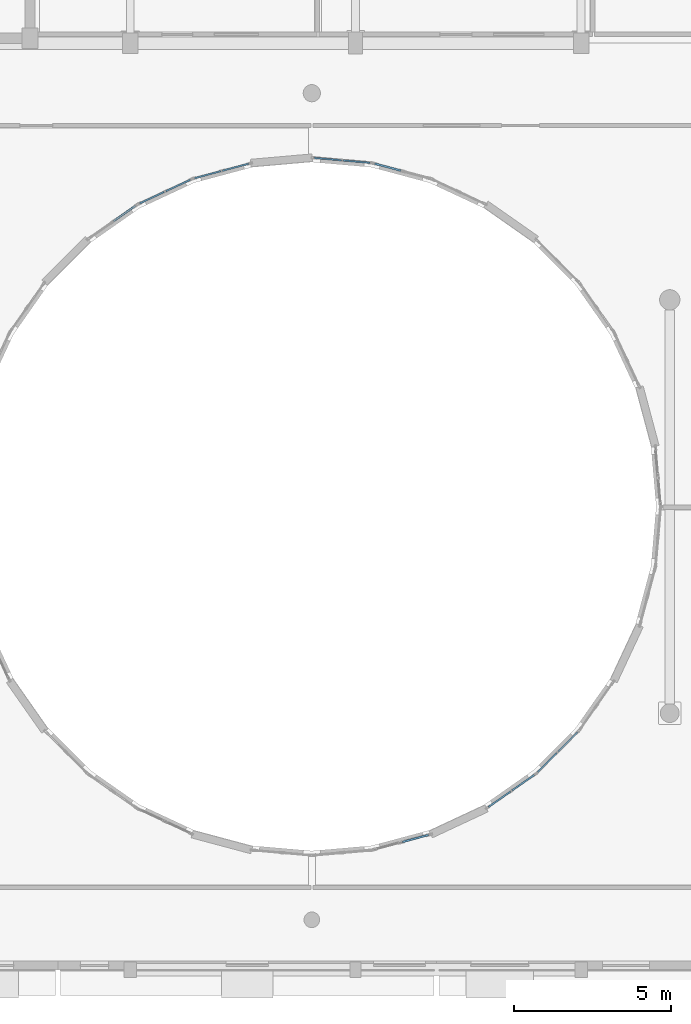
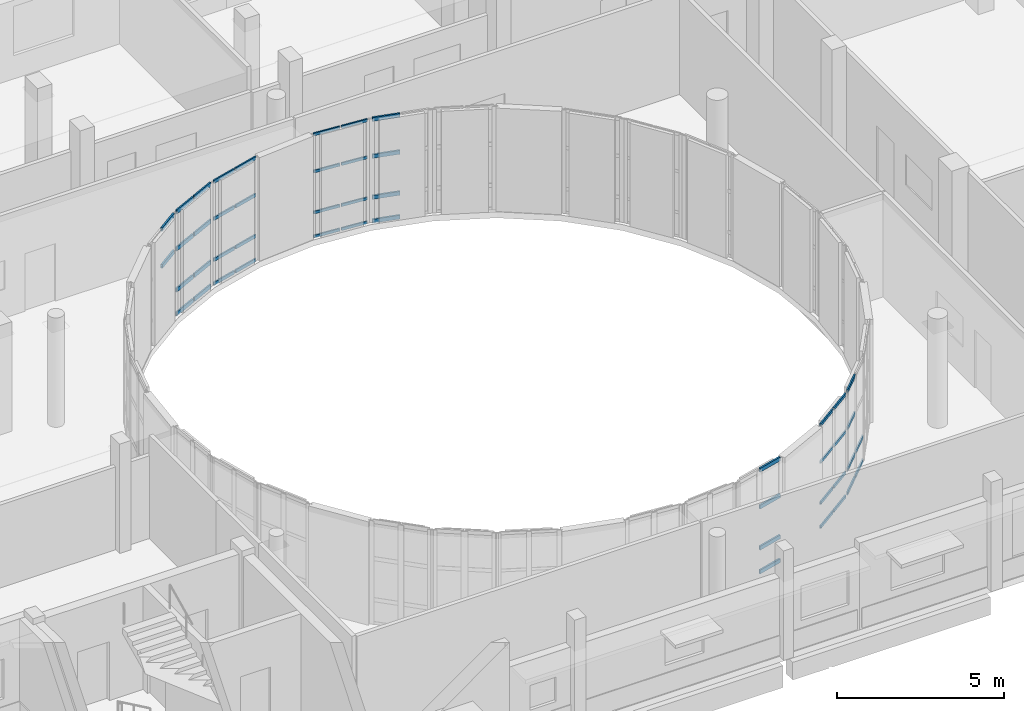
# One storey, part 47 of 92: 48 members, 8 elements without a shape of their own.
"""IFC4 building model written with IfcOpenShell, lengths in metres."""

import ifcopenshell
import ifcopenshell.guid

model = None  # the IFC model being written
_history = None  # IfcOwnerHistory: only IFC2X3 demands one
_inside = {}  # id of a spatial element -> (the spatial element, [elements in it])
_under = {}  # id of a project, library or spatial element -> (it, [spatial elements below it])
_declared = {}  # id of a project -> (the project, [libraries it declares])
_typed = {}  # id of a type object -> (the type object, [elements of that type])
_made_of = {}  # id of a material, layer set ... -> (it, [elements and type objects made of it])


def new_model(schema):
    """Start an empty IFC model of exactly this schema.

    Asked for "IFC4X3", IfcOpenShell would pick the latest addendum, in which some entities
    have other attributes; the version numbers below select the first issue.
    IFC2X3 requires an IfcOwnerHistory on every rooted entity: one is made here for all.
    """
    global model, _history
    if schema == "IFC4X3":
        model = ifcopenshell.file(schema_version=(4, 3, 0, 0))
    else:
        model = ifcopenshell.file(schema=schema)
    _inside.clear()
    _under.clear()
    _declared.clear()
    _typed.clear()
    _made_of.clear()
    _history = None
    if model.schema == "IFC2X3":
        org = make("IfcOrganization", Name="unknown")
        user = make(
            "IfcPersonAndOrganization",
            ThePerson=make("IfcPerson", FamilyName="unknown"),
            TheOrganization=org,
        )
        app = make(
            "IfcApplication",
            ApplicationDeveloper=org,
            Version="unknown",
            ApplicationFullName="unknown",
            ApplicationIdentifier="unknown",
        )
        _history = make(
            "IfcOwnerHistory",
            OwningUser=user,
            OwningApplication=app,
            ChangeAction="ADDED",
            CreationDate=0,
        )
    return model


def make(cls, **values):
    """One entity of the class cls with the attributes given. An attribute that is None is left unset."""
    return model.create_entity(
        cls, **{name: value for name, value in values.items() if value is not None}
    )


def rooted(cls, **values):
    """An entity with a GlobalId (a new one), such as an element, a storey or a relation."""
    return make(cls, GlobalId=ifcopenshell.guid.new(), OwnerHistory=_history, **values)


def si_unit(unit_type, name, prefix=None):
    """IfcSIUnit, for example si_unit("LENGTHUNIT", "METRE", prefix="MILLI")."""
    return make("IfcSIUnit", UnitType=unit_type, Prefix=prefix, Name=name)


def assignment(units):
    """IfcUnitAssignment: the units of a project."""
    return None if units is None else make("IfcUnitAssignment", Units=units)


def point(xyz):
    """IfcCartesianPoint."""
    return None if xyz is None else make("IfcCartesianPoint", Coordinates=xyz)


def direction(xyz):
    """IfcDirection."""
    return None if xyz is None else make("IfcDirection", DirectionRatios=xyz)


def frame(location, z_axis=None, x_axis=None):
    """IfcAxis2Placement3D, a coordinate frame: its origin and axes. An axis left out is left unset."""
    return make(
        "IfcAxis2Placement3D",
        Location=point(location),
        Axis=direction(z_axis),
        RefDirection=direction(x_axis),
    )


def frame_2d(location, x_axis=None):
    """IfcAxis2Placement2D, a coordinate frame in the plane: its origin and x axis."""
    return make(
        "IfcAxis2Placement2D", Location=point(location), RefDirection=direction(x_axis)
    )


def origin():
    """The frame at (0, 0, 0) with its axes left unset."""
    return frame((0.0, 0.0, 0.0))


def origin_2d():
    """The frame at (0, 0) in the plane with its x axis left unset."""
    return frame_2d((0.0, 0.0))


def place(relative_to, where):
    """IfcLocalPlacement: puts the frame where relative to a parent placement (None: the world)."""
    return make(
        "IfcLocalPlacement", PlacementRelTo=relative_to, RelativePlacement=where
    )


def context(
    kind, dimensions, precision=None, world=None, true_north=None, identifier=None
):
    """IfcGeometricRepresentationContext, for example the 3D "Model" context."""
    return make(
        "IfcGeometricRepresentationContext",
        ContextIdentifier=identifier,
        ContextType=kind,
        CoordinateSpaceDimension=dimensions,
        Precision=precision,
        WorldCoordinateSystem=world,
        TrueNorth=true_north,
    )


def subcontext(parent, identifier, kind, view, scale=None):
    """IfcGeometricRepresentationSubContext, for example "Body" below "Model"."""
    return make(
        "IfcGeometricRepresentationSubContext",
        ContextIdentifier=identifier,
        ContextType=kind,
        ParentContext=parent,
        TargetScale=scale,
        TargetView=view,
    )


def project(units=None, contexts=None):
    """IfcProject with its units and contexts."""
    return rooted(
        "IfcProject",
        Name="project",
        RepresentationContexts=contexts,
        UnitsInContext=assignment(units),
    )


def spatial(cls, under=None, at=None, **own):
    """A site, building, storey or space (cls), placed at a placement, below another one or the project."""
    s = rooted(cls, ObjectPlacement=at, **own)
    if under is not None:
        _under.setdefault(under.id(), (under, []))[1].append(s)
    return s


def profile(cls, at=None, kind="AREA", **sizes):
    """A parametric profile (cls). Its sizes go by their IFC names, for example OverallWidth=200.0."""
    return make(cls, ProfileType=kind, Position=at, **sizes)


def hollow_rectangle(**sizes):
    """IfcRectangleHollowProfileDef."""
    return profile("IfcRectangleHollowProfileDef", **sizes)


def extrude(swept, where, along, depth):
    """IfcExtrudedAreaSolid: the profile swept, set in the frame where, extruded along a direction by depth."""
    return make(
        "IfcExtrudedAreaSolid",
        SweptArea=swept,
        Position=where,
        ExtrudedDirection=direction(along),
        Depth=depth,
    )


def shape(context_of_items, identifier, shape_type, items):
    """IfcShapeRepresentation: the items that make up one representation, for example the "Body"."""
    return make(
        "IfcShapeRepresentation",
        ContextOfItems=context_of_items,
        RepresentationIdentifier=identifier,
        RepresentationType=shape_type,
        Items=items,
    )


def material(Name=None, Category=None):
    """IfcMaterial."""
    return make("IfcMaterial", Name=Name, Category=Category)


def layer(
    of_material, thickness, ventilated=None, Name=None, Category=None, Priority=None
):
    """IfcMaterialLayer: one layer of a wall or slab, of a material (None: an air gap)."""
    return make(
        "IfcMaterialLayer",
        Material=of_material,
        LayerThickness=thickness,
        IsVentilated=ventilated,
        Name=Name,
        Category=Category,
        Priority=Priority,
    )


def layer_set(layers, Name=None):
    """IfcMaterialLayerSet."""
    return make("IfcMaterialLayerSet", MaterialLayers=layers, LayerSetName=Name)


def material_profile(
    of_material, cross_section, Name=None, Category=None, Priority=None
):
    """IfcMaterialProfile: a cross section and its material."""
    return make(
        "IfcMaterialProfile",
        Name=Name,
        Material=of_material,
        Profile=cross_section,
        Priority=Priority,
        Category=Category,
    )


def profile_set(profiles, Name=None, composite=None):
    """IfcMaterialProfileSet."""
    return make(
        "IfcMaterialProfileSet",
        Name=Name,
        MaterialProfiles=profiles,
        CompositeProfile=composite,
    )


def made_of(thing, what):
    """Note that an element or type object is made of a material, layer set ...; save() writes the relation."""
    if what is not None:
        _made_of.setdefault(what.id(), (what, []))[1].append(thing)
    return thing


def type_object(cls, material=None, **own):
    """A type object (cls), such as IfcWallType, which elements share."""
    return made_of(rooted(cls, **own), material)


def element(
    cls,
    number,
    at=None,
    inside=None,
    cuts=None,
    type_object=None,
    material=None,
    context=None,
    identifier="Body",
    shape_type=None,
    held_by="IfcProductDefinitionShape",
    body=None,
    shapes=None,
    **own,
):
    """One element of the class cls, such as IfcWall. Its Tag is "e" and its number.

    at: its placement. inside: the storey or other place that contains it. cuts: it is an
    opening in that element (IfcRelVoidsElement). A single representation is given by context,
    identifier, shape_type and body (its items); several are given by shapes. held_by: the class
    of the entity that holds the representations. save() writes the other relations.
    """
    e = rooted(cls, Tag="e%d" % number, ObjectPlacement=at, **own)
    if body is not None:
        shapes = [shape(context, identifier, shape_type, body)]
    if shapes is not None:
        e.Representation = make(held_by, Representations=shapes)
    if inside is not None:
        _inside.setdefault(inside.id(), (inside, []))[1].append(e)
    if cuts is not None:
        rooted(
            "IfcRelVoidsElement", RelatingBuildingElement=cuts, RelatedOpeningElement=e
        )
    if type_object is not None:
        _typed.setdefault(type_object.id(), (type_object, []))[1].append(e)
    return made_of(e, material)


def aggregate(whole, parts):
    """IfcRelAggregates: a whole, such as a stair, and the parts it consists of."""
    return rooted("IfcRelAggregates", RelatingObject=whole, RelatedObjects=parts)


def save(model, path):
    """Write the relations noted so far, then the file.

    IfcRelAggregates (storeys below a building ...), IfcRelContainedInSpatialStructure (elements
    in a storey), IfcRelDefinesByType, IfcRelAssociatesMaterial and IfcRelDeclares: one each for
    every whole, place, type object, material and project.
    """
    for whole, parts in _under.values():
        aggregate(whole, parts)
    for where, things in _inside.values():
        rooted(
            "IfcRelContainedInSpatialStructure",
            RelatedElements=things,
            RelatingStructure=where,
        )
    for kind, things in _typed.values():
        rooted("IfcRelDefinesByType", RelatedObjects=things, RelatingType=kind)
    for what, things in _made_of.values():
        rooted("IfcRelAssociatesMaterial", RelatedObjects=things, RelatingMaterial=what)
    for by, libraries in _declared.values():
        rooted("IfcRelDeclares", RelatingContext=by, RelatedDefinitions=libraries)
    model.write(path)


model = new_model("IFC4")

# Units and contexts
model_context = context("Model", 3, precision=1e-05, world=origin(), true_north=direction((0.0, 1.0)))
body_context = subcontext(model_context, "Body", "Model", "MODEL_VIEW")
ifc_project = project(units=[si_unit("LENGTHUNIT", "METRE"), si_unit("AREAUNIT", "SQUARE_METRE"), si_unit("VOLUMEUNIT", "CUBIC_METRE"), si_unit("PLANEANGLEUNIT", "RADIAN"), si_unit("MASSUNIT", "GRAM", prefix="KILO")], contexts=[model_context])

# Site, building, storey
site_placement = place(None, origin())
site = spatial("IfcSite", under=ifc_project, at=site_placement, CompositionType="ELEMENT")
building_placement = place(site_placement, origin())
building = spatial("IfcBuilding", under=site, at=building_placement, Name="Kelanivale Promenade Academy", CompositionType="ELEMENT")
storey_placement = place(building_placement, frame((0.0, 0.0, 8.199951171875)))
storey = spatial("IfcBuildingStorey", under=building, at=storey_placement, Name="L02", CompositionType="ELEMENT", Elevation=8.199951171875)

# Curtain wall, members
ifc_material_1 = material(Name="Bronze anodised aluminium and solar-control low-E glass", Category="aluminium")
ifc_layer_1 = layer(ifc_material_1, 0.169921875)
ifc_layer_set_1 = layer_set([ifc_layer_1], Name="Bronze anodised aluminium and solar-control low-E glass")
curtain_wall_type_1 = type_object("IfcCurtainWallType", Name="CW-13 Curtain Wall 1350mm Module", PredefinedType="USERDEFINED", material=ifc_layer_set_1)
curtain_wall_1_placement = place(storey_placement, origin())
curtain_wall_1 = element("IfcCurtainWall", 1, at=curtain_wall_1_placement, inside=storey, type_object=curtain_wall_type_1, Name="L02 courtyard curtain wall CW-13", ObjectType="COURTYARD SCREEN GLAZING", PredefinedType="USERDEFINED")
ifc_material_2 = material(Name="Bronze anodised aluminium EN AW-6063 T6", Category="aluminium")
ifc_material_profile_1 = material_profile(ifc_material_2, hollow_rectangle(XDim=0.050048828125, YDim=0.10009765625, WallThickness=0.0029296875, at=origin_2d()), Name="ALU 50x100x3.0")
ifc_profile_set_1 = profile_set([ifc_material_profile_1], Name="Bronze anodised aluminium EN AW-6063 T6")
member_type_1 = type_object("IfcMemberType", Name="CWT-01 ALU 50x100x3.0", PredefinedType="USERDEFINED", material=ifc_profile_set_1)
member_1_placement = place(storey_placement, frame((65.26220703125, 67.77734375, 0.025146484375), z_axis=(-0.996205401814, 0.087033311997, 0.0), x_axis=(-0.087033311997, -0.996205401814, 0.0)))
member_1 = element("IfcMember", 2, at=member_1_placement, type_object=member_type_1, Name="CW-13 transom 1.1", ObjectType="TRANSOM", PredefinedType="USERDEFINED", context=body_context, shape_type="SweptSolid", body=[
    extrude(hollow_rectangle(XDim=0.050048828125, YDim=0.10009765625, WallThickness=0.0029296875, at=origin_2d()), origin(), (0.0, 0.0, 1.0), 0.861083984375),
])
member_2_placement = place(storey_placement, frame((65.26220703125, 67.77734375, 0.900146484375), z_axis=(-0.996205401814, 0.087033311997, 0.0), x_axis=(-0.087033311997, -0.996205401814, 0.0)))
member_2 = element("IfcMember", 3, at=member_2_placement, type_object=member_type_1, Name="CW-13 transom 1.2", ObjectType="TRANSOM", PredefinedType="USERDEFINED", context=body_context, shape_type="SweptSolid", body=[
    extrude(hollow_rectangle(XDim=0.050048828125, YDim=0.10009765625, WallThickness=0.0029296875, at=origin_2d()), origin(), (0.0, 0.0, 1.0), 0.861083984375),
])
member_3_placement = place(storey_placement, frame((65.26220703125, 67.77734375, 2.400146484375), z_axis=(-0.996205401814, 0.087033311997, 0.0), x_axis=(-0.087033311997, -0.996205401814, 0.0)))
member_3 = element("IfcMember", 4, at=member_3_placement, type_object=member_type_1, Name="CW-13 transom 1.3", ObjectType="TRANSOM", PredefinedType="USERDEFINED", context=body_context, shape_type="SweptSolid", body=[
    extrude(hollow_rectangle(XDim=0.050048828125, YDim=0.10009765625, WallThickness=0.0029296875, at=origin_2d()), origin(), (0.0, 0.0, 1.0), 0.861083984375),
])
member_4_placement = place(storey_placement, frame((65.26220703125, 67.77734375, 3.755126953125), z_axis=(-0.996205401814, 0.087033311997, 0.0), x_axis=(-0.087033311997, -0.996205401814, 0.0)))
member_4 = element("IfcMember", 5, at=member_4_placement, type_object=member_type_1, Name="CW-13 transom 1.4", ObjectType="TRANSOM", PredefinedType="USERDEFINED", context=body_context, shape_type="SweptSolid", body=[
    extrude(hollow_rectangle(XDim=0.050048828125, YDim=0.10009765625, WallThickness=0.0029296875, at=origin_2d()), origin(), (0.0, 0.0, 1.0), 0.861083984375),
])
member_5_placement = place(storey_placement, frame((64.3447265625, 67.857666015625, 0.025146484375), z_axis=(-0.996180782713, 0.087314650278, 0.0), x_axis=(-0.087314650278, -0.996180782713, 0.0)))
member_5 = element("IfcMember", 6, at=member_5_placement, type_object=member_type_1, Name="CW-13 transom 2.1", ObjectType="TRANSOM", PredefinedType="USERDEFINED", context=body_context, shape_type="SweptSolid", body=[
    extrude(hollow_rectangle(XDim=0.050048828125, YDim=0.10009765625, WallThickness=0.0029296875, at=origin_2d()), origin(), (0.0, 0.0, 1.0), 0.861083984375),
])
member_6_placement = place(storey_placement, frame((64.3447265625, 67.857666015625, 0.900146484375), z_axis=(-0.996180782713, 0.087314650278, 0.0), x_axis=(-0.087314650278, -0.996180782713, 0.0)))
member_6 = element("IfcMember", 7, at=member_6_placement, type_object=member_type_1, Name="CW-13 transom 2.2", ObjectType="TRANSOM", PredefinedType="USERDEFINED", context=body_context, shape_type="SweptSolid", body=[
    extrude(hollow_rectangle(XDim=0.050048828125, YDim=0.10009765625, WallThickness=0.0029296875, at=origin_2d()), origin(), (0.0, 0.0, 1.0), 0.861083984375),
])
member_7_placement = place(storey_placement, frame((64.3447265625, 67.857666015625, 2.400146484375), z_axis=(-0.996180782713, 0.087314650278, 0.0), x_axis=(-0.087314650278, -0.996180782713, 0.0)))
member_7 = element("IfcMember", 8, at=member_7_placement, type_object=member_type_1, Name="CW-13 transom 2.3", ObjectType="TRANSOM", PredefinedType="USERDEFINED", context=body_context, shape_type="SweptSolid", body=[
    extrude(hollow_rectangle(XDim=0.050048828125, YDim=0.10009765625, WallThickness=0.0029296875, at=origin_2d()), origin(), (0.0, 0.0, 1.0), 0.861083984375),
])
member_8_placement = place(storey_placement, frame((64.3447265625, 67.857666015625, 3.755126953125), z_axis=(-0.996180782713, 0.087314650278, 0.0), x_axis=(-0.087314650278, -0.996180782713, 0.0)))
member_8 = element("IfcMember", 9, at=member_8_placement, type_object=member_type_1, Name="CW-13 transom 2.4", ObjectType="TRANSOM", PredefinedType="USERDEFINED", context=body_context, shape_type="SweptSolid", body=[
    extrude(hollow_rectangle(XDim=0.050048828125, YDim=0.10009765625, WallThickness=0.0029296875, at=origin_2d()), origin(), (0.0, 0.0, 1.0), 0.861083984375),
])
aggregate(curtain_wall_1, [member_1, member_2, member_3, member_4, member_5, member_6, member_7, member_8])

ifc_layer_2 = layer(ifc_material_1, 0.179931640625)
ifc_layer_set_2 = layer_set([ifc_layer_2], Name="Bronze anodised aluminium and solar-control low-E glass")
curtain_wall_type_2 = type_object("IfcCurtainWallType", Name="CW-05 Curtain Wall 1950mm Module", PredefinedType="USERDEFINED", material=ifc_layer_set_2)
curtain_wall_2_placement = place(storey_placement, origin())
curtain_wall_2 = element("IfcCurtainWall", 10, at=curtain_wall_2_placement, inside=storey, type_object=curtain_wall_type_2, Name="L02 courtyard curtain wall CW-05", ObjectType="UNITISED GLAZING", PredefinedType="USERDEFINED")
member_9_placement = place(storey_placement, frame((69.041259765625, 47.202392578125, 0.025146484375), z_axis=(0.819231920519, 0.573462344363, 0.0), x_axis=(-0.573462344363, 0.819231920519, 0.0)))
member_9 = element("IfcMember", 11, at=member_9_placement, type_object=member_type_1, Name="CW-05 transom 1.1", ObjectType="TRANSOM", PredefinedType="USERDEFINED", context=body_context, shape_type="SweptSolid", body=[
    extrude(hollow_rectangle(XDim=0.050048828125, YDim=0.10009765625, WallThickness=0.0029296875, at=origin_2d()), origin(), (0.0, 0.0, 1.0), 0.861328125),
])
member_10_placement = place(storey_placement, frame((69.041259765625, 47.202392578125, 0.900146484375), z_axis=(0.819231920519, 0.573462344363, 0.0), x_axis=(-0.573462344363, 0.819231920519, 0.0)))
member_10 = element("IfcMember", 12, at=member_10_placement, type_object=member_type_1, Name="CW-05 transom 1.2", ObjectType="TRANSOM", PredefinedType="USERDEFINED", context=body_context, shape_type="SweptSolid", body=[
    extrude(hollow_rectangle(XDim=0.050048828125, YDim=0.10009765625, WallThickness=0.0029296875, at=origin_2d()), origin(), (0.0, 0.0, 1.0), 0.861328125),
])
member_11_placement = place(storey_placement, frame((69.041259765625, 47.202392578125, 2.400146484375), z_axis=(0.819231920519, 0.573462344363, 0.0), x_axis=(-0.573462344363, 0.819231920519, 0.0)))
member_11 = element("IfcMember", 13, at=member_11_placement, type_object=member_type_1, Name="CW-05 transom 1.3", ObjectType="TRANSOM", PredefinedType="USERDEFINED", context=body_context, shape_type="SweptSolid", body=[
    extrude(hollow_rectangle(XDim=0.050048828125, YDim=0.10009765625, WallThickness=0.0029296875, at=origin_2d()), origin(), (0.0, 0.0, 1.0), 0.861328125),
])
member_12_placement = place(storey_placement, frame((69.041259765625, 47.202392578125, 3.755126953125), z_axis=(0.819231920519, 0.573462344363, 0.0), x_axis=(-0.573462344363, 0.819231920519, 0.0)))
member_12 = element("IfcMember", 14, at=member_12_placement, type_object=member_type_1, Name="CW-05 transom 1.4", ObjectType="TRANSOM", PredefinedType="USERDEFINED", context=body_context, shape_type="SweptSolid", body=[
    extrude(hollow_rectangle(XDim=0.050048828125, YDim=0.10009765625, WallThickness=0.0029296875, at=origin_2d()), origin(), (0.0, 0.0, 1.0), 0.861328125),
])
member_13_placement = place(storey_placement, frame((69.796142578125, 47.730712890625, 0.025146484375), z_axis=(0.819325110144, 0.573329193297, 0.0), x_axis=(-0.573329193297, 0.819325110144, 0.0)))
member_13 = element("IfcMember", 15, at=member_13_placement, type_object=member_type_1, Name="CW-05 transom 2.1", ObjectType="TRANSOM", PredefinedType="USERDEFINED", context=body_context, shape_type="SweptSolid", body=[
    extrude(hollow_rectangle(XDim=0.050048828125, YDim=0.10009765625, WallThickness=0.0029296875, at=origin_2d()), origin(), (0.0, 0.0, 1.0), 0.861572265625),
])
member_14_placement = place(storey_placement, frame((69.796142578125, 47.730712890625, 0.900146484375), z_axis=(0.819325110144, 0.573329193297, 0.0), x_axis=(-0.573329193297, 0.819325110144, 0.0)))
member_14 = element("IfcMember", 16, at=member_14_placement, type_object=member_type_1, Name="CW-05 transom 2.2", ObjectType="TRANSOM", PredefinedType="USERDEFINED", context=body_context, shape_type="SweptSolid", body=[
    extrude(hollow_rectangle(XDim=0.050048828125, YDim=0.10009765625, WallThickness=0.0029296875, at=origin_2d()), origin(), (0.0, 0.0, 1.0), 0.861572265625),
])
member_15_placement = place(storey_placement, frame((69.796142578125, 47.730712890625, 2.400146484375), z_axis=(0.819325110144, 0.573329193297, 0.0), x_axis=(-0.573329193297, 0.819325110144, 0.0)))
member_15 = element("IfcMember", 17, at=member_15_placement, type_object=member_type_1, Name="CW-05 transom 2.3", ObjectType="TRANSOM", PredefinedType="USERDEFINED", context=body_context, shape_type="SweptSolid", body=[
    extrude(hollow_rectangle(XDim=0.050048828125, YDim=0.10009765625, WallThickness=0.0029296875, at=origin_2d()), origin(), (0.0, 0.0, 1.0), 0.861572265625),
])
member_16_placement = place(storey_placement, frame((69.796142578125, 47.730712890625, 3.755126953125), z_axis=(0.819325110144, 0.573329193297, 0.0), x_axis=(-0.573329193297, 0.819325110144, 0.0)))
member_16 = element("IfcMember", 18, at=member_16_placement, type_object=member_type_1, Name="CW-05 transom 2.4", ObjectType="TRANSOM", PredefinedType="USERDEFINED", context=body_context, shape_type="SweptSolid", body=[
    extrude(hollow_rectangle(XDim=0.050048828125, YDim=0.10009765625, WallThickness=0.0029296875, at=origin_2d()), origin(), (0.0, 0.0, 1.0), 0.861572265625),
])
aggregate(curtain_wall_2, [member_9, member_10, member_11, member_12, member_13, member_14, member_15, member_16])

ifc_layer_3 = layer(ifc_material_1, 0.179931640625)
ifc_layer_set_3 = layer_set([ifc_layer_3], Name="Bronze anodised aluminium and solar-control low-E glass")
curtain_wall_type_3 = type_object("IfcCurtainWallType", Name="CW-14 Curtain Wall 1500mm Module", PredefinedType="USERDEFINED", material=ifc_layer_set_3)
curtain_wall_3_placement = place(storey_placement, origin())
curtain_wall_3 = element("IfcCurtainWall", 19, at=curtain_wall_3_placement, inside=storey, type_object=curtain_wall_type_3, Name="L02 courtyard curtain wall CW-14", ObjectType="COURTYARD SCREEN GLAZING", PredefinedType="USERDEFINED")
ifc_material_profile_2 = material_profile(ifc_material_2, hollow_rectangle(XDim=0.050048828125, YDim=0.1201171875, WallThickness=0.0029296875, at=origin_2d()), Name="ALU 50x120x3.0")
ifc_profile_set_2 = profile_set([ifc_material_profile_2], Name="Bronze anodised aluminium EN AW-6063 T6")
member_type_2 = type_object("IfcMemberType", Name="CWT-02 ALU 50x120x3.0", PredefinedType="USERDEFINED", material=ifc_profile_set_2)
member_17_placement = place(storey_placement, frame((61.382080078125, 67.74853515625, 0.025146484375), z_axis=(-0.966008746817, -0.258509382951, 0.0), x_axis=(0.258509382951, -0.966008746817, 0.0)))
member_17 = element("IfcMember", 20, at=member_17_placement, type_object=member_type_2, Name="CW-14 transom 1.1", ObjectType="TRANSOM", PredefinedType="USERDEFINED", context=body_context, shape_type="SweptSolid", body=[
    extrude(hollow_rectangle(XDim=0.050048828125, YDim=0.1201171875, WallThickness=0.0029296875, at=origin_2d()), origin(), (0.0, 0.0, 1.0), 0.861328125),
])
member_18_placement = place(storey_placement, frame((61.382080078125, 67.74853515625, 0.900146484375), z_axis=(-0.966008746817, -0.258509382951, 0.0), x_axis=(0.258509382951, -0.966008746817, 0.0)))
member_18 = element("IfcMember", 21, at=member_18_placement, type_object=member_type_2, Name="CW-14 transom 1.2", ObjectType="TRANSOM", PredefinedType="USERDEFINED", context=body_context, shape_type="SweptSolid", body=[
    extrude(hollow_rectangle(XDim=0.050048828125, YDim=0.1201171875, WallThickness=0.0029296875, at=origin_2d()), origin(), (0.0, 0.0, 1.0), 0.861328125),
])
member_19_placement = place(storey_placement, frame((61.382080078125, 67.74853515625, 2.400146484375), z_axis=(-0.966008746817, -0.258509382951, 0.0), x_axis=(0.258509382951, -0.966008746817, 0.0)))
member_19 = element("IfcMember", 22, at=member_19_placement, type_object=member_type_2, Name="CW-14 transom 1.3", ObjectType="TRANSOM", PredefinedType="USERDEFINED", context=body_context, shape_type="SweptSolid", body=[
    extrude(hollow_rectangle(XDim=0.050048828125, YDim=0.1201171875, WallThickness=0.0029296875, at=origin_2d()), origin(), (0.0, 0.0, 1.0), 0.861328125),
])
member_20_placement = place(storey_placement, frame((61.382080078125, 67.74853515625, 3.755126953125), z_axis=(-0.966008746817, -0.258509382951, 0.0), x_axis=(0.258509382951, -0.966008746817, 0.0)))
member_20 = element("IfcMember", 23, at=member_20_placement, type_object=member_type_2, Name="CW-14 transom 1.4", ObjectType="TRANSOM", PredefinedType="USERDEFINED", context=body_context, shape_type="SweptSolid", body=[
    extrude(hollow_rectangle(XDim=0.050048828125, YDim=0.1201171875, WallThickness=0.0029296875, at=origin_2d()), origin(), (0.0, 0.0, 1.0), 0.861328125),
])
member_21_placement = place(storey_placement, frame((60.491943359375, 67.51025390625, 0.025146484375), z_axis=(-0.966008746817, -0.258509382951, 0.0), x_axis=(0.258509382951, -0.966008746817, 0.0)))
member_21 = element("IfcMember", 24, at=member_21_placement, type_object=member_type_2, Name="CW-14 transom 2.1", ObjectType="TRANSOM", PredefinedType="USERDEFINED", context=body_context, shape_type="SweptSolid", body=[
    extrude(hollow_rectangle(XDim=0.050048828125, YDim=0.1201171875, WallThickness=0.0029296875, at=origin_2d()), origin(), (0.0, 0.0, 1.0), 0.861328125),
])
member_22_placement = place(storey_placement, frame((60.491943359375, 67.51025390625, 0.900146484375), z_axis=(-0.966008746817, -0.258509382951, 0.0), x_axis=(0.258509382951, -0.966008746817, 0.0)))
member_22 = element("IfcMember", 25, at=member_22_placement, type_object=member_type_2, Name="CW-14 transom 2.2", ObjectType="TRANSOM", PredefinedType="USERDEFINED", context=body_context, shape_type="SweptSolid", body=[
    extrude(hollow_rectangle(XDim=0.050048828125, YDim=0.1201171875, WallThickness=0.0029296875, at=origin_2d()), origin(), (0.0, 0.0, 1.0), 0.861328125),
])
member_23_placement = place(storey_placement, frame((60.491943359375, 67.51025390625, 2.400146484375), z_axis=(-0.966008746817, -0.258509382951, 0.0), x_axis=(0.258509382951, -0.966008746817, 0.0)))
member_23 = element("IfcMember", 26, at=member_23_placement, type_object=member_type_2, Name="CW-14 transom 2.3", ObjectType="TRANSOM", PredefinedType="USERDEFINED", context=body_context, shape_type="SweptSolid", body=[
    extrude(hollow_rectangle(XDim=0.050048828125, YDim=0.1201171875, WallThickness=0.0029296875, at=origin_2d()), origin(), (0.0, 0.0, 1.0), 0.861328125),
])
member_24_placement = place(storey_placement, frame((60.491943359375, 67.51025390625, 3.755126953125), z_axis=(-0.966008746817, -0.258509382951, 0.0), x_axis=(0.258509382951, -0.966008746817, 0.0)))
member_24 = element("IfcMember", 27, at=member_24_placement, type_object=member_type_2, Name="CW-14 transom 2.4", ObjectType="TRANSOM", PredefinedType="USERDEFINED", context=body_context, shape_type="SweptSolid", body=[
    extrude(hollow_rectangle(XDim=0.050048828125, YDim=0.1201171875, WallThickness=0.0029296875, at=origin_2d()), origin(), (0.0, 0.0, 1.0), 0.861328125),
])
aggregate(curtain_wall_3, [member_17, member_18, member_19, member_20, member_21, member_22, member_23, member_24])

ifc_layer_4 = layer(ifc_material_1, 0.159912109375)
ifc_layer_set_4 = layer_set([ifc_layer_4], Name="Bronze anodised aluminium and solar-control low-E glass")
curtain_wall_type_4 = type_object("IfcCurtainWallType", Name="CW-06 Curtain Wall 1200mm Module", PredefinedType="USERDEFINED", material=ifc_layer_set_4)
curtain_wall_4_placement = place(storey_placement, origin())
curtain_wall_4 = element("IfcCurtainWall", 28, at=curtain_wall_4_placement, inside=storey, type_object=curtain_wall_type_4, Name="L02 courtyard curtain wall CW-06", ObjectType="UNITISED GLAZING", PredefinedType="USERDEFINED")
member_25_placement = place(storey_placement, frame((70.6123046875, 48.3173828125, 0.025146484375), z_axis=(0.707106781187, 0.707106781187, 0.0), x_axis=(-0.707106781187, 0.707106781187, 0.0)))
member_25 = element("IfcMember", 29, at=member_25_placement, type_object=member_type_2, Name="CW-06 transom 1.1", ObjectType="TRANSOM", PredefinedType="USERDEFINED", context=body_context, shape_type="SweptSolid", body=[
    extrude(hollow_rectangle(XDim=0.050048828125, YDim=0.1201171875, WallThickness=0.0029296875, at=origin_2d()), origin(), (0.0, 0.0, 1.0), 0.868408203125),
])
member_26_placement = place(storey_placement, frame((70.6123046875, 48.3173828125, 0.900146484375), z_axis=(0.707106781187, 0.707106781187, 0.0), x_axis=(-0.707106781187, 0.707106781187, 0.0)))
member_26 = element("IfcMember", 30, at=member_26_placement, type_object=member_type_2, Name="CW-06 transom 1.2", ObjectType="TRANSOM", PredefinedType="USERDEFINED", context=body_context, shape_type="SweptSolid", body=[
    extrude(hollow_rectangle(XDim=0.050048828125, YDim=0.1201171875, WallThickness=0.0029296875, at=origin_2d()), origin(), (0.0, 0.0, 1.0), 0.868408203125),
])
member_27_placement = place(storey_placement, frame((70.6123046875, 48.3173828125, 2.400146484375), z_axis=(0.707106781187, 0.707106781187, 0.0), x_axis=(-0.707106781187, 0.707106781187, 0.0)))
member_27 = element("IfcMember", 31, at=member_27_placement, type_object=member_type_2, Name="CW-06 transom 1.3", ObjectType="TRANSOM", PredefinedType="USERDEFINED", context=body_context, shape_type="SweptSolid", body=[
    extrude(hollow_rectangle(XDim=0.050048828125, YDim=0.1201171875, WallThickness=0.0029296875, at=origin_2d()), origin(), (0.0, 0.0, 1.0), 0.868408203125),
])
member_28_placement = place(storey_placement, frame((70.6123046875, 48.3173828125, 3.755126953125), z_axis=(0.707106781187, 0.707106781187, 0.0), x_axis=(-0.707106781187, 0.707106781187, 0.0)))
member_28 = element("IfcMember", 32, at=member_28_placement, type_object=member_type_2, Name="CW-06 transom 1.4", ObjectType="TRANSOM", PredefinedType="USERDEFINED", context=body_context, shape_type="SweptSolid", body=[
    extrude(hollow_rectangle(XDim=0.050048828125, YDim=0.1201171875, WallThickness=0.0029296875, at=origin_2d()), origin(), (0.0, 0.0, 1.0), 0.868408203125),
])
member_29_placement = place(storey_placement, frame((71.268798828125, 48.9736328125, 0.025146484375), z_axis=(0.706966161367, 0.707247373047, 0.0), x_axis=(-0.707247373047, 0.706966161367, 0.0)))
member_29 = element("IfcMember", 33, at=member_29_placement, type_object=member_type_2, Name="CW-06 transom 2.1", ObjectType="TRANSOM", PredefinedType="USERDEFINED", context=body_context, shape_type="SweptSolid", body=[
    extrude(hollow_rectangle(XDim=0.050048828125, YDim=0.1201171875, WallThickness=0.0029296875, at=origin_2d()), origin(), (0.0, 0.0, 1.0), 0.8681640625),
])
member_30_placement = place(storey_placement, frame((71.268798828125, 48.9736328125, 0.900146484375), z_axis=(0.706966161367, 0.707247373047, 0.0), x_axis=(-0.707247373047, 0.706966161367, 0.0)))
member_30 = element("IfcMember", 34, at=member_30_placement, type_object=member_type_2, Name="CW-06 transom 2.2", ObjectType="TRANSOM", PredefinedType="USERDEFINED", context=body_context, shape_type="SweptSolid", body=[
    extrude(hollow_rectangle(XDim=0.050048828125, YDim=0.1201171875, WallThickness=0.0029296875, at=origin_2d()), origin(), (0.0, 0.0, 1.0), 0.8681640625),
])
aggregate(curtain_wall_4, [member_25, member_26, member_27, member_28, member_29, member_30])

ifc_layer_5 = layer(ifc_material_1, 0.159912109375)
ifc_layer_set_5 = layer_set([ifc_layer_5], Name="Bronze anodised aluminium and solar-control low-E glass")
curtain_wall_type_5 = type_object("IfcCurtainWallType", Name="CW-15 Curtain Wall 1650mm Module", PredefinedType="USERDEFINED", material=ifc_layer_set_5)
curtain_wall_5_placement = place(storey_placement, origin())
curtain_wall_5 = element("IfcCurtainWall", 35, at=curtain_wall_5_placement, inside=storey, type_object=curtain_wall_type_5, Name="L02 courtyard curtain wall CW-15", ObjectType="COURTYARD SCREEN GLAZING", PredefinedType="USERDEFINED")
ifc_material_profile_3 = material_profile(ifc_material_2, hollow_rectangle(XDim=0.050048828125, YDim=0.14990234375, WallThickness=0.00341796875, at=origin_2d()), Name="ALU 50x150x3.5")
ifc_profile_set_3 = profile_set([ifc_material_profile_3], Name="Bronze anodised aluminium EN AW-6063 T6")
member_type_3 = type_object("IfcMemberType", Name="CWT-03 ALU 50x150x3.5", PredefinedType="USERDEFINED", material=ifc_profile_set_3)
member_31_placement = place(storey_placement, frame((59.52001953125, 67.236572265625, 0.025146484375), z_axis=(-0.906175898549, -0.422900982369, 0.0), x_axis=(0.422900982369, -0.906175898549, 0.0)))
member_31 = element("IfcMember", 36, at=member_31_placement, type_object=member_type_3, Name="CW-15 transom 1.1", ObjectType="TRANSOM", PredefinedType="USERDEFINED", context=body_context, shape_type="SweptSolid", body=[
    extrude(hollow_rectangle(XDim=0.050048828125, YDim=0.14990234375, WallThickness=0.00341796875, at=origin_2d()), origin(), (0.0, 0.0, 1.0), 0.861328125),
])
member_32_placement = place(storey_placement, frame((59.52001953125, 67.236572265625, 0.900146484375), z_axis=(-0.906175898549, -0.422900982369, 0.0), x_axis=(0.422900982369, -0.906175898549, 0.0)))
member_32 = element("IfcMember", 37, at=member_32_placement, type_object=member_type_3, Name="CW-15 transom 1.2", ObjectType="TRANSOM", PredefinedType="USERDEFINED", context=body_context, shape_type="SweptSolid", body=[
    extrude(hollow_rectangle(XDim=0.050048828125, YDim=0.14990234375, WallThickness=0.00341796875, at=origin_2d()), origin(), (0.0, 0.0, 1.0), 0.861328125),
])
member_33_placement = place(storey_placement, frame((59.52001953125, 67.236572265625, 2.400146484375), z_axis=(-0.906175898549, -0.422900982369, 0.0), x_axis=(0.422900982369, -0.906175898549, 0.0)))
member_33 = element("IfcMember", 38, at=member_33_placement, type_object=member_type_3, Name="CW-15 transom 1.3", ObjectType="TRANSOM", PredefinedType="USERDEFINED", context=body_context, shape_type="SweptSolid", body=[
    extrude(hollow_rectangle(XDim=0.050048828125, YDim=0.14990234375, WallThickness=0.00341796875, at=origin_2d()), origin(), (0.0, 0.0, 1.0), 0.861328125),
])
member_34_placement = place(storey_placement, frame((59.52001953125, 67.236572265625, 3.755126953125), z_axis=(-0.906175898549, -0.422900982369, 0.0), x_axis=(0.422900982369, -0.906175898549, 0.0)))
member_34 = element("IfcMember", 39, at=member_34_placement, type_object=member_type_3, Name="CW-15 transom 1.4", ObjectType="TRANSOM", PredefinedType="USERDEFINED", context=body_context, shape_type="SweptSolid", body=[
    extrude(hollow_rectangle(XDim=0.050048828125, YDim=0.14990234375, WallThickness=0.00341796875, at=origin_2d()), origin(), (0.0, 0.0, 1.0), 0.861328125),
])
member_35_placement = place(storey_placement, frame((58.6806640625, 66.8447265625, 0.025146484375), z_axis=(-0.906226571939, -0.422792384407, 0.0), x_axis=(0.422792384407, -0.906226571939, 0.0)))
member_35 = element("IfcMember", 40, at=member_35_placement, type_object=member_type_3, Name="CW-15 transom 2.1", ObjectType="TRANSOM", PredefinedType="USERDEFINED", context=body_context, shape_type="SweptSolid", body=[
    extrude(hollow_rectangle(XDim=0.050048828125, YDim=0.14990234375, WallThickness=0.00341796875, at=origin_2d()), origin(), (0.0, 0.0, 1.0), 0.861572265625),
])
member_36_placement = place(storey_placement, frame((58.6806640625, 66.8447265625, 0.900146484375), z_axis=(-0.906226571939, -0.422792384407, 0.0), x_axis=(0.422792384407, -0.906226571939, 0.0)))
member_36 = element("IfcMember", 41, at=member_36_placement, type_object=member_type_3, Name="CW-15 transom 2.2", ObjectType="TRANSOM", PredefinedType="USERDEFINED", context=body_context, shape_type="SweptSolid", body=[
    extrude(hollow_rectangle(XDim=0.050048828125, YDim=0.14990234375, WallThickness=0.00341796875, at=origin_2d()), origin(), (0.0, 0.0, 1.0), 0.861572265625),
])
member_37_placement = place(storey_placement, frame((58.6806640625, 66.8447265625, 2.400146484375), z_axis=(-0.906226571939, -0.422792384407, 0.0), x_axis=(0.422792384407, -0.906226571939, 0.0)))
member_37 = element("IfcMember", 42, at=member_37_placement, type_object=member_type_3, Name="CW-15 transom 2.3", ObjectType="TRANSOM", PredefinedType="USERDEFINED", context=body_context, shape_type="SweptSolid", body=[
    extrude(hollow_rectangle(XDim=0.050048828125, YDim=0.14990234375, WallThickness=0.00341796875, at=origin_2d()), origin(), (0.0, 0.0, 1.0), 0.861572265625),
])
member_38_placement = place(storey_placement, frame((58.6806640625, 66.8447265625, 3.755126953125), z_axis=(-0.906226571939, -0.422792384407, 0.0), x_axis=(0.422792384407, -0.906226571939, 0.0)))
member_38 = element("IfcMember", 43, at=member_38_placement, type_object=member_type_3, Name="CW-15 transom 2.4", ObjectType="TRANSOM", PredefinedType="USERDEFINED", context=body_context, shape_type="SweptSolid", body=[
    extrude(hollow_rectangle(XDim=0.050048828125, YDim=0.14990234375, WallThickness=0.00341796875, at=origin_2d()), origin(), (0.0, 0.0, 1.0), 0.861572265625),
])
aggregate(curtain_wall_5, [member_31, member_32, member_33, member_34, member_35, member_36, member_37, member_38])

ifc_layer_6 = layer(ifc_material_1, 0.159912109375)
ifc_layer_set_6 = layer_set([ifc_layer_6], Name="Bronze anodised aluminium and solar-control low-E glass")
curtain_wall_type_6 = type_object("IfcCurtainWallType", Name="CW-12 Curtain Wall 1200mm Module", PredefinedType="USERDEFINED", material=ifc_layer_set_6)
curtain_wall_6_placement = place(storey_placement, origin())
curtain_wall_6 = element("IfcCurtainWall", 44, at=curtain_wall_6_placement, inside=storey, type_object=curtain_wall_type_6, Name="L02 courtyard curtain wall CW-12", ObjectType="UNITISED GLAZING", PredefinedType="USERDEFINED")
ifc_material_profile_4 = material_profile(ifc_material_2, hollow_rectangle(XDim=0.06005859375, YDim=0.139892578125, WallThickness=0.00341796875, at=origin_2d()), Name="ALU 60x140x3.5")
ifc_profile_set_4 = profile_set([ifc_material_profile_4], Name="Bronze anodised aluminium EN AW-6063 T6")
member_type_4 = type_object("IfcMemberType", Name="CWT-04 ALU 60x140x3.5", PredefinedType="USERDEFINED", material=ifc_profile_set_4)
member_39_placement = place(storey_placement, frame((66.24072265625, 67.5283203125, 0.030029296875), z_axis=(-0.965937931187, 0.258773864781, 0.0), x_axis=(-0.258773864781, -0.965937931187, 0.0)))
member_39 = element("IfcMember", 45, at=member_39_placement, type_object=member_type_4, Name="CW-12 transom 2.1", ObjectType="TRANSOM", PredefinedType="USERDEFINED", context=body_context, shape_type="SweptSolid", body=[
    extrude(hollow_rectangle(XDim=0.06005859375, YDim=0.139892578125, WallThickness=0.00341796875, at=origin_2d()), origin(), (0.0, 0.0, 1.0), 0.861328125),
])
member_40_placement = place(storey_placement, frame((66.24072265625, 67.5283203125, 0.900146484375), z_axis=(-0.965937931187, 0.258773864781, 0.0), x_axis=(-0.258773864781, -0.965937931187, 0.0)))
member_40 = element("IfcMember", 46, at=member_40_placement, type_object=member_type_4, Name="CW-12 transom 2.2", ObjectType="TRANSOM", PredefinedType="USERDEFINED", context=body_context, shape_type="SweptSolid", body=[
    extrude(hollow_rectangle(XDim=0.06005859375, YDim=0.139892578125, WallThickness=0.00341796875, at=origin_2d()), origin(), (0.0, 0.0, 1.0), 0.861328125),
])
member_41_placement = place(storey_placement, frame((66.24072265625, 67.5283203125, 2.400146484375), z_axis=(-0.965937931187, 0.258773864781, 0.0), x_axis=(-0.258773864781, -0.965937931187, 0.0)))
member_41 = element("IfcMember", 47, at=member_41_placement, type_object=member_type_4, Name="CW-12 transom 2.3", ObjectType="TRANSOM", PredefinedType="USERDEFINED", context=body_context, shape_type="SweptSolid", body=[
    extrude(hollow_rectangle(XDim=0.06005859375, YDim=0.139892578125, WallThickness=0.00341796875, at=origin_2d()), origin(), (0.0, 0.0, 1.0), 0.861328125),
])
member_42_placement = place(storey_placement, frame((66.24072265625, 67.5283203125, 3.75), z_axis=(-0.965937931187, 0.258773864781, 0.0), x_axis=(-0.258773864781, -0.965937931187, 0.0)))
member_42 = element("IfcMember", 48, at=member_42_placement, type_object=member_type_4, Name="CW-12 transom 2.4", ObjectType="TRANSOM", PredefinedType="USERDEFINED", context=body_context, shape_type="SweptSolid", body=[
    extrude(hollow_rectangle(XDim=0.06005859375, YDim=0.139892578125, WallThickness=0.00341796875, at=origin_2d()), origin(), (0.0, 0.0, 1.0), 0.861328125),
])
aggregate(curtain_wall_6, [member_39, member_40, member_41, member_42])

ifc_layer_7 = layer(ifc_material_1, 0.169921875)
ifc_layer_set_7 = layer_set([ifc_layer_7], Name="Bronze anodised aluminium and solar-control low-E glass")
curtain_wall_type_7 = type_object("IfcCurtainWallType", Name="CW-16 Curtain Wall 1800mm Module", PredefinedType="USERDEFINED", material=ifc_layer_set_7)
curtain_wall_7_placement = place(storey_placement, origin())
curtain_wall_7 = element("IfcCurtainWall", 49, at=curtain_wall_7_placement, inside=storey, type_object=curtain_wall_type_7, Name="L02 courtyard curtain wall CW-16", ObjectType="COURTYARD SCREEN GLAZING", PredefinedType="USERDEFINED")
member_43_placement = place(storey_placement, frame((57.766845703125, 66.40380859375, 2.400146484375), z_axis=(-0.819258778425, -0.573423974013, 0.0), x_axis=(0.573423974013, -0.819258778425, 0.0)))
member_43 = element("IfcMember", 50, at=member_43_placement, type_object=member_type_4, Name="CW-16 transom 1.3", ObjectType="TRANSOM", PredefinedType="USERDEFINED", context=body_context, shape_type="SweptSolid", body=[
    extrude(hollow_rectangle(XDim=0.06005859375, YDim=0.139892578125, WallThickness=0.00341796875, at=origin_2d()), origin(), (0.0, 0.0, 1.0), 0.85400390625),
])
member_44_placement = place(storey_placement, frame((57.766845703125, 66.40380859375, 3.75), z_axis=(-0.819258778425, -0.573423974013, 0.0), x_axis=(0.573423974013, -0.819258778425, 0.0)))
member_44 = element("IfcMember", 51, at=member_44_placement, type_object=member_type_4, Name="CW-16 transom 1.4", ObjectType="TRANSOM", PredefinedType="USERDEFINED", context=body_context, shape_type="SweptSolid", body=[
    extrude(hollow_rectangle(XDim=0.06005859375, YDim=0.139892578125, WallThickness=0.00341796875, at=origin_2d()), origin(), (0.0, 0.0, 1.0), 0.85400390625),
])
aggregate(curtain_wall_7, [member_43, member_44])

ifc_layer_8 = layer(ifc_material_1, 0.169921875)
ifc_layer_set_8 = layer_set([ifc_layer_8], Name="Bronze anodised aluminium and solar-control low-E glass")
curtain_wall_type_8 = type_object("IfcCurtainWallType", Name="CW-04 Curtain Wall 1800mm Module", PredefinedType="USERDEFINED", material=ifc_layer_set_8)
curtain_wall_8_placement = place(storey_placement, origin())
curtain_wall_8 = element("IfcCurtainWall", 52, at=curtain_wall_8_placement, inside=storey, type_object=curtain_wall_type_8, Name="L02 courtyard curtain wall CW-04", ObjectType="UNITISED GLAZING", PredefinedType="USERDEFINED")
member_45_placement = place(storey_placement, frame((66.29638671875, 46.08642578125, 0.030029296875), z_axis=(0.966006735151, 0.258516900111, 0.0), x_axis=(-0.258516900111, 0.966006735151, 0.0)))
member_45 = element("IfcMember", 53, at=member_45_placement, type_object=member_type_4, Name="CW-04 transom 2.1", ObjectType="TRANSOM", PredefinedType="USERDEFINED", context=body_context, shape_type="SweptSolid", body=[
    extrude(hollow_rectangle(XDim=0.06005859375, YDim=0.139892578125, WallThickness=0.00341796875, at=origin_2d()), origin(), (0.0, 0.0, 1.0), 0.853759765625),
])
member_46_placement = place(storey_placement, frame((66.29638671875, 46.08642578125, 0.900146484375), z_axis=(0.966006735151, 0.258516900111, 0.0), x_axis=(-0.258516900111, 0.966006735151, 0.0)))
member_46 = element("IfcMember", 54, at=member_46_placement, type_object=member_type_4, Name="CW-04 transom 2.2", ObjectType="TRANSOM", PredefinedType="USERDEFINED", context=body_context, shape_type="SweptSolid", body=[
    extrude(hollow_rectangle(XDim=0.06005859375, YDim=0.139892578125, WallThickness=0.00341796875, at=origin_2d()), origin(), (0.0, 0.0, 1.0), 0.853759765625),
])
member_47_placement = place(storey_placement, frame((66.29638671875, 46.08642578125, 2.400146484375), z_axis=(0.966006735151, 0.258516900111, 0.0), x_axis=(-0.258516900111, 0.966006735151, 0.0)))
member_47 = element("IfcMember", 55, at=member_47_placement, type_object=member_type_4, Name="CW-04 transom 2.3", ObjectType="TRANSOM", PredefinedType="USERDEFINED", context=body_context, shape_type="SweptSolid", body=[
    extrude(hollow_rectangle(XDim=0.06005859375, YDim=0.139892578125, WallThickness=0.00341796875, at=origin_2d()), origin(), (0.0, 0.0, 1.0), 0.853759765625),
])
member_48_placement = place(storey_placement, frame((66.29638671875, 46.08642578125, 3.75), z_axis=(0.966006735151, 0.258516900111, 0.0), x_axis=(-0.258516900111, 0.966006735151, 0.0)))
member_48 = element("IfcMember", 56, at=member_48_placement, type_object=member_type_4, Name="CW-04 transom 2.4", ObjectType="TRANSOM", PredefinedType="USERDEFINED", context=body_context, shape_type="SweptSolid", body=[
    extrude(hollow_rectangle(XDim=0.06005859375, YDim=0.139892578125, WallThickness=0.00341796875, at=origin_2d()), origin(), (0.0, 0.0, 1.0), 0.853759765625),
])
aggregate(curtain_wall_8, [member_45, member_46, member_47, member_48])

save(model, "model.ifc")
